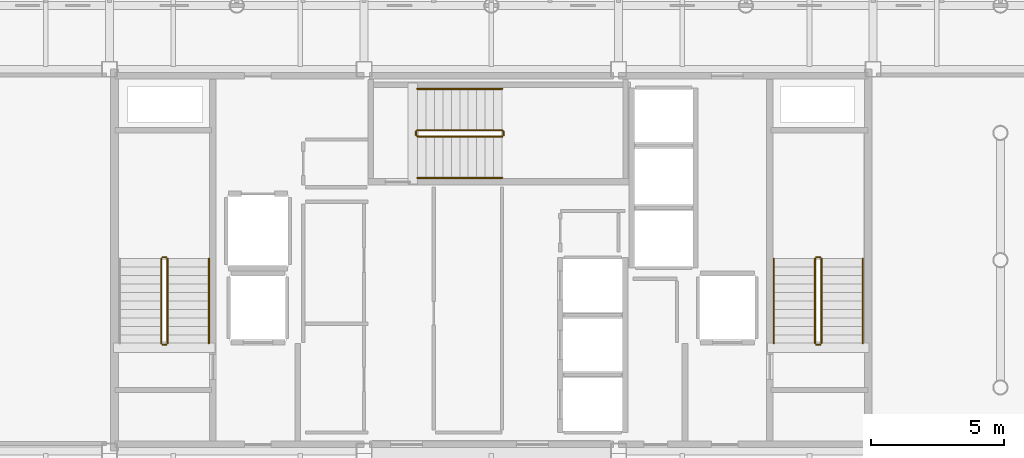
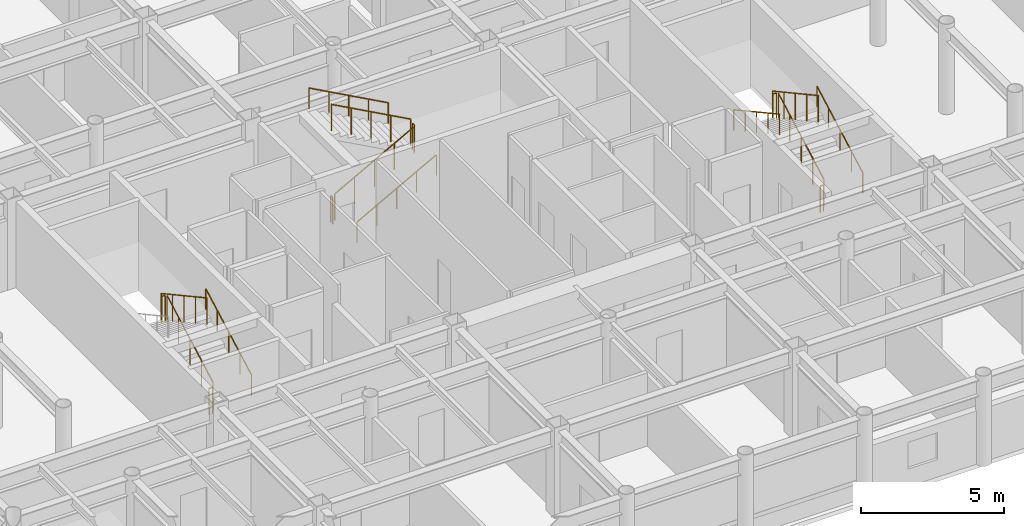
# One storey, part 24 of 24: 17 railings.
"""IFC4 building model written with IfcOpenShell, lengths in metres."""

import ifcopenshell
import ifcopenshell.guid

model = None  # the IFC model being written
_history = None  # IfcOwnerHistory: only IFC2X3 demands one
_inside = {}  # id of a spatial element -> (the spatial element, [elements in it])
_under = {}  # id of a project, library or spatial element -> (it, [spatial elements below it])
_declared = {}  # id of a project -> (the project, [libraries it declares])
_typed = {}  # id of a type object -> (the type object, [elements of that type])
_made_of = {}  # id of a material, layer set ... -> (it, [elements and type objects made of it])


def new_model(schema):
    """Start an empty IFC model of exactly this schema.

    Asked for "IFC4X3", IfcOpenShell would pick the latest addendum, in which some entities
    have other attributes; the version numbers below select the first issue.
    IFC2X3 requires an IfcOwnerHistory on every rooted entity: one is made here for all.
    """
    global model, _history
    if schema == "IFC4X3":
        model = ifcopenshell.file(schema_version=(4, 3, 0, 0))
    else:
        model = ifcopenshell.file(schema=schema)
    _inside.clear()
    _under.clear()
    _declared.clear()
    _typed.clear()
    _made_of.clear()
    _history = None
    if model.schema == "IFC2X3":
        org = make("IfcOrganization", Name="unknown")
        user = make(
            "IfcPersonAndOrganization",
            ThePerson=make("IfcPerson", FamilyName="unknown"),
            TheOrganization=org,
        )
        app = make(
            "IfcApplication",
            ApplicationDeveloper=org,
            Version="unknown",
            ApplicationFullName="unknown",
            ApplicationIdentifier="unknown",
        )
        _history = make(
            "IfcOwnerHistory",
            OwningUser=user,
            OwningApplication=app,
            ChangeAction="ADDED",
            CreationDate=0,
        )
    return model


def make(cls, **values):
    """One entity of the class cls with the attributes given. An attribute that is None is left unset."""
    return model.create_entity(
        cls, **{name: value for name, value in values.items() if value is not None}
    )


def rooted(cls, **values):
    """An entity with a GlobalId (a new one), such as an element, a storey or a relation."""
    return make(cls, GlobalId=ifcopenshell.guid.new(), OwnerHistory=_history, **values)


def si_unit(unit_type, name, prefix=None):
    """IfcSIUnit, for example si_unit("LENGTHUNIT", "METRE", prefix="MILLI")."""
    return make("IfcSIUnit", UnitType=unit_type, Prefix=prefix, Name=name)


def assignment(units):
    """IfcUnitAssignment: the units of a project."""
    return None if units is None else make("IfcUnitAssignment", Units=units)


def point(xyz):
    """IfcCartesianPoint."""
    return None if xyz is None else make("IfcCartesianPoint", Coordinates=xyz)


def direction(xyz):
    """IfcDirection."""
    return None if xyz is None else make("IfcDirection", DirectionRatios=xyz)


def frame(location, z_axis=None, x_axis=None):
    """IfcAxis2Placement3D, a coordinate frame: its origin and axes. An axis left out is left unset."""
    return make(
        "IfcAxis2Placement3D",
        Location=point(location),
        Axis=direction(z_axis),
        RefDirection=direction(x_axis),
    )


def frame_2d(location, x_axis=None):
    """IfcAxis2Placement2D, a coordinate frame in the plane: its origin and x axis."""
    return make(
        "IfcAxis2Placement2D", Location=point(location), RefDirection=direction(x_axis)
    )


def origin():
    """The frame at (0, 0, 0) with its axes left unset."""
    return frame((0.0, 0.0, 0.0))


def origin_2d():
    """The frame at (0, 0) in the plane with its x axis left unset."""
    return frame_2d((0.0, 0.0))


def place(relative_to, where):
    """IfcLocalPlacement: puts the frame where relative to a parent placement (None: the world)."""
    return make(
        "IfcLocalPlacement", PlacementRelTo=relative_to, RelativePlacement=where
    )


def context(
    kind, dimensions, precision=None, world=None, true_north=None, identifier=None
):
    """IfcGeometricRepresentationContext, for example the 3D "Model" context."""
    return make(
        "IfcGeometricRepresentationContext",
        ContextIdentifier=identifier,
        ContextType=kind,
        CoordinateSpaceDimension=dimensions,
        Precision=precision,
        WorldCoordinateSystem=world,
        TrueNorth=true_north,
    )


def subcontext(parent, identifier, kind, view, scale=None):
    """IfcGeometricRepresentationSubContext, for example "Body" below "Model"."""
    return make(
        "IfcGeometricRepresentationSubContext",
        ContextIdentifier=identifier,
        ContextType=kind,
        ParentContext=parent,
        TargetScale=scale,
        TargetView=view,
    )


def project(units=None, contexts=None):
    """IfcProject with its units and contexts."""
    return rooted(
        "IfcProject",
        Name="project",
        RepresentationContexts=contexts,
        UnitsInContext=assignment(units),
    )


def spatial(cls, under=None, at=None, **own):
    """A site, building, storey or space (cls), placed at a placement, below another one or the project."""
    s = rooted(cls, ObjectPlacement=at, **own)
    if under is not None:
        _under.setdefault(under.id(), (under, []))[1].append(s)
    return s


def profile(cls, at=None, kind="AREA", **sizes):
    """A parametric profile (cls). Its sizes go by their IFC names, for example OverallWidth=200.0."""
    return make(cls, ProfileType=kind, Position=at, **sizes)


def circle(**sizes):
    """IfcCircleProfileDef."""
    return profile("IfcCircleProfileDef", **sizes)


def extrude(swept, where, along, depth):
    """IfcExtrudedAreaSolid: the profile swept, set in the frame where, extruded along a direction by depth."""
    return make(
        "IfcExtrudedAreaSolid",
        SweptArea=swept,
        Position=where,
        ExtrudedDirection=direction(along),
        Depth=depth,
    )


def shape(context_of_items, identifier, shape_type, items):
    """IfcShapeRepresentation: the items that make up one representation, for example the "Body"."""
    return make(
        "IfcShapeRepresentation",
        ContextOfItems=context_of_items,
        RepresentationIdentifier=identifier,
        RepresentationType=shape_type,
        Items=items,
    )


def material(Name=None, Category=None):
    """IfcMaterial."""
    return make("IfcMaterial", Name=Name, Category=Category)


def layer(
    of_material, thickness, ventilated=None, Name=None, Category=None, Priority=None
):
    """IfcMaterialLayer: one layer of a wall or slab, of a material (None: an air gap)."""
    return make(
        "IfcMaterialLayer",
        Material=of_material,
        LayerThickness=thickness,
        IsVentilated=ventilated,
        Name=Name,
        Category=Category,
        Priority=Priority,
    )


def layer_set(layers, Name=None):
    """IfcMaterialLayerSet."""
    return make("IfcMaterialLayerSet", MaterialLayers=layers, LayerSetName=Name)


def made_of(thing, what):
    """Note that an element or type object is made of a material, layer set ...; save() writes the relation."""
    if what is not None:
        _made_of.setdefault(what.id(), (what, []))[1].append(thing)
    return thing


def type_object(cls, material=None, **own):
    """A type object (cls), such as IfcWallType, which elements share."""
    return made_of(rooted(cls, **own), material)


def element(
    cls,
    number,
    at=None,
    inside=None,
    cuts=None,
    type_object=None,
    material=None,
    context=None,
    identifier="Body",
    shape_type=None,
    held_by="IfcProductDefinitionShape",
    body=None,
    shapes=None,
    **own,
):
    """One element of the class cls, such as IfcWall. Its Tag is "e" and its number.

    at: its placement. inside: the storey or other place that contains it. cuts: it is an
    opening in that element (IfcRelVoidsElement). A single representation is given by context,
    identifier, shape_type and body (its items); several are given by shapes. held_by: the class
    of the entity that holds the representations. save() writes the other relations.
    """
    e = rooted(cls, Tag="e%d" % number, ObjectPlacement=at, **own)
    if body is not None:
        shapes = [shape(context, identifier, shape_type, body)]
    if shapes is not None:
        e.Representation = make(held_by, Representations=shapes)
    if inside is not None:
        _inside.setdefault(inside.id(), (inside, []))[1].append(e)
    if cuts is not None:
        rooted(
            "IfcRelVoidsElement", RelatingBuildingElement=cuts, RelatedOpeningElement=e
        )
    if type_object is not None:
        _typed.setdefault(type_object.id(), (type_object, []))[1].append(e)
    return made_of(e, material)


def aggregate(whole, parts):
    """IfcRelAggregates: a whole, such as a stair, and the parts it consists of."""
    return rooted("IfcRelAggregates", RelatingObject=whole, RelatedObjects=parts)


def save(model, path):
    """Write the relations noted so far, then the file.

    IfcRelAggregates (storeys below a building ...), IfcRelContainedInSpatialStructure (elements
    in a storey), IfcRelDefinesByType, IfcRelAssociatesMaterial and IfcRelDeclares: one each for
    every whole, place, type object, material and project.
    """
    for whole, parts in _under.values():
        aggregate(whole, parts)
    for where, things in _inside.values():
        rooted(
            "IfcRelContainedInSpatialStructure",
            RelatedElements=things,
            RelatingStructure=where,
        )
    for kind, things in _typed.values():
        rooted("IfcRelDefinesByType", RelatedObjects=things, RelatingType=kind)
    for what, things in _made_of.values():
        rooted("IfcRelAssociatesMaterial", RelatedObjects=things, RelatingMaterial=what)
    for by, libraries in _declared.values():
        rooted("IfcRelDeclares", RelatingContext=by, RelatedDefinitions=libraries)
    model.write(path)


model = new_model("IFC4")

# Units and contexts
model_context = context("Model", 3, precision=1e-05, world=origin(), true_north=direction((0.0, 1.0)))
body_context = subcontext(model_context, "Body", "Model", "MODEL_VIEW")
ifc_project = project(units=[si_unit("LENGTHUNIT", "METRE"), si_unit("AREAUNIT", "SQUARE_METRE"), si_unit("VOLUMEUNIT", "CUBIC_METRE"), si_unit("PLANEANGLEUNIT", "RADIAN"), si_unit("MASSUNIT", "GRAM", prefix="KILO")], contexts=[model_context])

# Site, building, storey
site_placement = place(None, origin())
site = spatial("IfcSite", under=ifc_project, at=site_placement, CompositionType="ELEMENT")
building_placement = place(site_placement, origin())
building = spatial("IfcBuilding", under=site, at=building_placement, Name="Kallvorn Hotel Tower", CompositionType="ELEMENT")
storey_placement = place(building_placement, frame((0.0, 0.0, 233.85009765625)))
storey = spatial("IfcBuildingStorey", under=building, at=storey_placement, Name="L58", CompositionType="ELEMENT", Elevation=233.85009765625)

# Railings
ifc_material_1 = material(Name="Brushed stainless-steel tubular railing", Category="steel")
ifc_layer_1 = layer(ifc_material_1, 0.050048828125)
ifc_layer_set_1 = layer_set([ifc_layer_1], Name="RL_STAIR_GUARD")
railing_type_1 = type_object("IfcRailingType", Name="RL_STAIR_GUARD", PredefinedType="GUARDRAIL", material=ifc_layer_set_1)
railing_1_placement = place(storey_placement, frame((-12.2099609375, -3.139892578125, 0.1748046875)))
element("IfcRailing", 1, at=railing_1_placement, inside=storey, type_object=railing_type_1, Name="L58 ST1 stair guard 1", PredefinedType="GUARDRAIL", context=body_context, shape_type="SweptSolid", body=[
    extrude(circle(Radius=0.02392578125, at=origin_2d()), frame((0.0, 0.0, 1.1259765625), z_axis=(0.0, 0.877368057402, 0.479817977833), x_axis=(-1.0, 0.0, 0.0)), (0.0, 0.0, 1.0), 3.647216796875),
    extrude(circle(Radius=0.02099609375, at=origin_2d()), origin(), (0.0, 0.0, 1.0), 1.101806640625),
    extrude(circle(Radius=0.02099609375, at=origin_2d()), frame((0.0, 0.800048828125, 0.4375)), (0.0, 0.0, 1.0), 1.101806640625),
    extrude(circle(Radius=0.02099609375, at=origin_2d()), frame((0.0, 1.60009765625, 0.875)), (0.0, 0.0, 1.0), 1.101806640625),
    extrude(circle(Radius=0.02099609375, at=origin_2d()), frame((0.0, 2.39990234375, 1.3125)), (0.0, 0.0, 1.0), 1.101806640625),
    extrude(circle(Radius=0.02099609375, at=origin_2d()), frame((0.0, 3.199951171875, 1.75)), (0.0, 0.0, 1.0), 1.101806640625),
])
railing_2_placement = place(storey_placement, frame((-12.260009765625, 0.110107421875, 1.9248046875)))
element("IfcRailing", 2, at=railing_2_placement, inside=storey, type_object=railing_type_1, Name="L58 ST1 stair guard 2", PredefinedType="GUARDRAIL", context=body_context, shape_type="SweptSolid", body=[
    extrude(circle(Radius=0.02392578125, at=origin_2d()), frame((0.0, 0.0, 1.1259765625), z_axis=(-1.0, 0.0, 0.0), x_axis=(0.0, -1.0, 0.0)), (0.0, 0.0, 1.0), 0.139892578125),
    extrude(circle(Radius=0.02099609375, at=origin_2d()), origin(), (0.0, 0.0, 1.0), 1.101806640625),
    extrude(circle(Radius=0.02099609375, at=origin_2d()), frame((-0.139892578125, 0.0, 0.0)), (0.0, 0.0, 1.0), 1.101806640625),
])
railing_3_placement = place(storey_placement, frame((-12.449951171875, 0.06005859375, 2.099853515625)))
element("IfcRailing", 3, at=railing_3_placement, inside=storey, type_object=railing_type_1, Name="L58 ST1 stair guard 3", PredefinedType="GUARDRAIL", context=body_context, shape_type="SweptSolid", body=[
    extrude(circle(Radius=0.02392578125, at=origin_2d()), frame((0.0, 0.0, 1.1259765625), z_axis=(0.0, -0.877368057402, 0.479817977833), x_axis=(1.0, 0.0, 0.0)), (0.0, 0.0, 1.0), 3.647216796875),
    extrude(circle(Radius=0.02099609375, at=origin_2d()), origin(), (0.0, 0.0, 1.0), 1.101806640625),
    extrude(circle(Radius=0.02099609375, at=origin_2d()), frame((0.0, -0.800048828125, 0.4375)), (0.0, 0.0, 1.0), 1.101806640625),
    extrude(circle(Radius=0.02099609375, at=origin_2d()), frame((0.0, -1.60009765625, 0.875)), (0.0, 0.0, 1.0), 1.101806640625),
    extrude(circle(Radius=0.02099609375, at=origin_2d()), frame((0.0, -2.39990234375, 1.3125)), (0.0, 0.0, 1.0), 1.101806640625),
    extrude(circle(Radius=0.02099609375, at=origin_2d()), frame((0.0, -3.199951171875, 1.75)), (0.0, 0.0, 1.0), 1.101806640625),
])
railing_4_placement = place(storey_placement, frame((-12.260009765625, -3.18994140625, 0.0)))
element("IfcRailing", 4, at=railing_4_placement, inside=storey, type_object=railing_type_1, Name="L58 ST1 stair guard 4", PredefinedType="GUARDRAIL", context=body_context, shape_type="SweptSolid", body=[
    extrude(circle(Radius=0.02392578125, at=origin_2d()), frame((0.0, 0.0, 1.1259765625), z_axis=(-1.0, 0.0, 0.0), x_axis=(0.0, -1.0, 0.0)), (0.0, 0.0, 1.0), 0.139892578125),
    extrude(circle(Radius=0.02099609375, at=origin_2d()), origin(), (0.0, 0.0, 1.0), 1.101806640625),
    extrude(circle(Radius=0.02099609375, at=origin_2d()), frame((-0.139892578125, 0.0, 0.0)), (0.0, 0.0, 1.0), 1.101806640625),
])
railing_5_placement = place(storey_placement, frame((12.449951171875, -3.139892578125, 0.1748046875)))
element("IfcRailing", 5, at=railing_5_placement, inside=storey, type_object=railing_type_1, Name="L58 ST2 stair guard 1", PredefinedType="GUARDRAIL", context=body_context, shape_type="SweptSolid", body=[
    extrude(circle(Radius=0.02392578125, at=origin_2d()), frame((0.0, 0.0, 1.1259765625), z_axis=(0.0, 0.877368057402, 0.479817977833), x_axis=(-1.0, 0.0, 0.0)), (0.0, 0.0, 1.0), 3.647216796875),
    extrude(circle(Radius=0.02099609375, at=origin_2d()), origin(), (0.0, 0.0, 1.0), 1.101806640625),
    extrude(circle(Radius=0.02099609375, at=origin_2d()), frame((0.0, 0.800048828125, 0.4375)), (0.0, 0.0, 1.0), 1.101806640625),
    extrude(circle(Radius=0.02099609375, at=origin_2d()), frame((0.0, 1.60009765625, 0.875)), (0.0, 0.0, 1.0), 1.101806640625),
    extrude(circle(Radius=0.02099609375, at=origin_2d()), frame((0.0, 2.39990234375, 1.3125)), (0.0, 0.0, 1.0), 1.101806640625),
    extrude(circle(Radius=0.02099609375, at=origin_2d()), frame((0.0, 3.199951171875, 1.75)), (0.0, 0.0, 1.0), 1.101806640625),
])
railing_6_placement = place(storey_placement, frame((12.39990234375, 0.110107421875, 1.9248046875)))
element("IfcRailing", 6, at=railing_6_placement, inside=storey, type_object=railing_type_1, Name="L58 ST2 stair guard 2", PredefinedType="GUARDRAIL", context=body_context, shape_type="SweptSolid", body=[
    extrude(circle(Radius=0.02392578125, at=origin_2d()), frame((0.0, 0.0, 1.1259765625), z_axis=(-1.0, 0.0, 0.0), x_axis=(0.0, -1.0, 0.0)), (0.0, 0.0, 1.0), 0.139892578125),
    extrude(circle(Radius=0.02099609375, at=origin_2d()), origin(), (0.0, 0.0, 1.0), 1.101806640625),
    extrude(circle(Radius=0.02099609375, at=origin_2d()), frame((-0.139892578125, 0.0, 0.0)), (0.0, 0.0, 1.0), 1.101806640625),
])
railing_7_placement = place(storey_placement, frame((12.2099609375, 0.06005859375, 2.099853515625)))
element("IfcRailing", 7, at=railing_7_placement, inside=storey, type_object=railing_type_1, Name="L58 ST2 stair guard 3", PredefinedType="GUARDRAIL", context=body_context, shape_type="SweptSolid", body=[
    extrude(circle(Radius=0.02392578125, at=origin_2d()), frame((0.0, 0.0, 1.1259765625), z_axis=(0.0, -0.877368057402, 0.479817977833), x_axis=(1.0, 0.0, 0.0)), (0.0, 0.0, 1.0), 3.647216796875),
    extrude(circle(Radius=0.02099609375, at=origin_2d()), origin(), (0.0, 0.0, 1.0), 1.101806640625),
    extrude(circle(Radius=0.02099609375, at=origin_2d()), frame((0.0, -0.800048828125, 0.4375)), (0.0, 0.0, 1.0), 1.101806640625),
    extrude(circle(Radius=0.02099609375, at=origin_2d()), frame((0.0, -1.60009765625, 0.875)), (0.0, 0.0, 1.0), 1.101806640625),
    extrude(circle(Radius=0.02099609375, at=origin_2d()), frame((0.0, -2.39990234375, 1.3125)), (0.0, 0.0, 1.0), 1.101806640625),
    extrude(circle(Radius=0.02099609375, at=origin_2d()), frame((0.0, -3.199951171875, 1.75)), (0.0, 0.0, 1.0), 1.101806640625),
])
railing_8_placement = place(storey_placement, frame((12.39990234375, -3.18994140625, 0.0)))
element("IfcRailing", 8, at=railing_8_placement, inside=storey, type_object=railing_type_1, Name="L58 ST2 stair guard 4", PredefinedType="GUARDRAIL", context=body_context, shape_type="SweptSolid", body=[
    extrude(circle(Radius=0.02392578125, at=origin_2d()), frame((0.0, 0.0, 1.1259765625), z_axis=(-1.0, 0.0, 0.0), x_axis=(0.0, -1.0, 0.0)), (0.0, 0.0, 1.0), 0.139892578125),
    extrude(circle(Radius=0.02099609375, at=origin_2d()), origin(), (0.0, 0.0, 1.0), 1.101806640625),
    extrude(circle(Radius=0.02099609375, at=origin_2d()), frame((-0.139892578125, 0.0, 0.0)), (0.0, 0.0, 1.0), 1.101806640625),
])
railing_9_placement = place(storey_placement, frame((-2.7900390625, 4.659912109375, 0.1748046875)))
element("IfcRailing", 9, at=railing_9_placement, inside=storey, type_object=railing_type_1, Name="L58 ST3 stair guard 1", PredefinedType="GUARDRAIL", context=body_context, shape_type="SweptSolid", body=[
    extrude(circle(Radius=0.02392578125, at=origin_2d()), frame((0.0, 0.0, 1.1259765625), z_axis=(0.877368057402, 0.0, 0.479817977833), x_axis=(0.0, 1.0, 0.0)), (0.0, 0.0, 1.0), 3.647216796875),
    extrude(circle(Radius=0.02099609375, at=origin_2d()), origin(), (0.0, 0.0, 1.0), 1.101806640625),
    extrude(circle(Radius=0.02099609375, at=origin_2d()), frame((0.800048828125, 0.0, 0.4375)), (0.0, 0.0, 1.0), 1.101806640625),
    extrude(circle(Radius=0.02099609375, at=origin_2d()), frame((1.60009765625, 0.0, 0.875)), (0.0, 0.0, 1.0), 1.101806640625),
    extrude(circle(Radius=0.02099609375, at=origin_2d()), frame((2.39990234375, 0.0, 1.3125)), (0.0, 0.0, 1.0), 1.101806640625),
    extrude(circle(Radius=0.02099609375, at=origin_2d()), frame((3.199951171875, 0.0, 1.75)), (0.0, 0.0, 1.0), 1.101806640625),
])
railing_10_placement = place(storey_placement, frame((0.4599609375, 4.7099609375, 1.9248046875)))
element("IfcRailing", 10, at=railing_10_placement, inside=storey, type_object=railing_type_1, Name="L58 ST3 stair guard 2", PredefinedType="GUARDRAIL", context=body_context, shape_type="SweptSolid", body=[
    extrude(circle(Radius=0.02392578125, at=origin_2d()), frame((0.0, 0.0, 1.1259765625), z_axis=(0.0, 1.0, 0.0), x_axis=(-1.0, 0.0, 0.0)), (0.0, 0.0, 1.0), 0.14013671875),
    extrude(circle(Radius=0.02099609375, at=origin_2d()), origin(), (0.0, 0.0, 1.0), 1.101806640625),
    extrude(circle(Radius=0.02099609375, at=origin_2d()), frame((0.0, 0.14013671875, 0.0)), (0.0, 0.0, 1.0), 1.101806640625),
])
railing_11_placement = place(storey_placement, frame((0.409912109375, 4.89990234375, 2.099853515625)))
element("IfcRailing", 11, at=railing_11_placement, inside=storey, type_object=railing_type_1, Name="L58 ST3 stair guard 3", PredefinedType="GUARDRAIL", context=body_context, shape_type="SweptSolid", body=[
    extrude(circle(Radius=0.02392578125, at=origin_2d()), frame((0.0, 0.0, 1.1259765625), z_axis=(-0.877368057402, 0.0, 0.479817977833), x_axis=(0.0, -1.0, 0.0)), (0.0, 0.0, 1.0), 3.647216796875),
    extrude(circle(Radius=0.02099609375, at=origin_2d()), origin(), (0.0, 0.0, 1.0), 1.101806640625),
    extrude(circle(Radius=0.02099609375, at=origin_2d()), frame((-0.800048828125, 0.0, 0.4375)), (0.0, 0.0, 1.0), 1.101806640625),
    extrude(circle(Radius=0.02099609375, at=origin_2d()), frame((-1.60009765625, 0.0, 0.875)), (0.0, 0.0, 1.0), 1.101806640625),
    extrude(circle(Radius=0.02099609375, at=origin_2d()), frame((-2.39990234375, 0.0, 1.3125)), (0.0, 0.0, 1.0), 1.101806640625),
    extrude(circle(Radius=0.02099609375, at=origin_2d()), frame((-3.199951171875, 0.0, 1.75)), (0.0, 0.0, 1.0), 1.101806640625),
])
railing_12_placement = place(storey_placement, frame((-2.840087890625, 4.7099609375, 0.0)))
element("IfcRailing", 12, at=railing_12_placement, inside=storey, type_object=railing_type_1, Name="L58 ST3 stair guard 4", PredefinedType="GUARDRAIL", context=body_context, shape_type="SweptSolid", body=[
    extrude(circle(Radius=0.02392578125, at=origin_2d()), frame((0.0, 0.0, 1.1259765625), z_axis=(0.0, 1.0, 0.0), x_axis=(-1.0, 0.0, 0.0)), (0.0, 0.0, 1.0), 0.14013671875),
    extrude(circle(Radius=0.02099609375, at=origin_2d()), origin(), (0.0, 0.0, 1.0), 1.101806640625),
    extrude(circle(Radius=0.02099609375, at=origin_2d()), frame((0.0, 0.14013671875, 0.0)), (0.0, 0.0, 1.0), 1.101806640625),
])
ifc_material_2 = material(Name="Brushed stainless-steel tubular railing", Category="steel")
ifc_layer_2 = layer(ifc_material_2, 0.050048828125)
ifc_layer_set_2 = layer_set([ifc_layer_2], Name="RL_STAIR_HAND")
railing_type_2 = type_object("IfcRailingType", Name="RL_STAIR_HAND", PredefinedType="HANDRAIL", material=ifc_layer_set_2)
for number, where, name in (
    (13, (-10.64990234375, -3.139892578125, 0.1748046875), "L58 ST1 stair handrail 1"),
    (14, (14.010009765625, -3.139892578125, 0.1748046875), "L58 ST2 stair handrail 1"),
):
    element("IfcRailing", number, at=place(storey_placement, frame(where)), inside=storey, type_object=railing_type_2, Name=name, PredefinedType="HANDRAIL", context=body_context, shape_type="SweptSolid", body=[
        extrude(circle(Radius=0.02392578125, at=origin_2d()), frame((0.0, 0.0, 0.8759765625), z_axis=(0.0, 0.877368057402, 0.479817977833), x_axis=(-1.0, 0.0, 0.0)), (0.0, 0.0, 1.0), 3.647216796875),
        extrude(circle(Radius=0.02099609375, at=origin_2d()), origin(), (0.0, 0.0, 1.0), 0.851806640625),
        extrude(circle(Radius=0.02099609375, at=origin_2d()), frame((0.0, 0.800048828125, 0.4375)), (0.0, 0.0, 1.0), 0.851806640625),
        extrude(circle(Radius=0.02099609375, at=origin_2d()), frame((0.0, 1.60009765625, 0.875)), (0.0, 0.0, 1.0), 0.851806640625),
        extrude(circle(Radius=0.02099609375, at=origin_2d()), frame((0.0, 2.39990234375, 1.3125)), (0.0, 0.0, 1.0), 0.851806640625),
        extrude(circle(Radius=0.02099609375, at=origin_2d()), frame((0.0, 3.199951171875, 1.75)), (0.0, 0.0, 1.0), 0.851806640625),
    ])
railing_13_placement = place(storey_placement, frame((10.64990234375, 0.06005859375, 2.099853515625)))
element("IfcRailing", 15, at=railing_13_placement, inside=storey, type_object=railing_type_2, Name="L58 ST2 stair handrail 2", PredefinedType="HANDRAIL", context=body_context, shape_type="SweptSolid", body=[
    extrude(circle(Radius=0.02392578125, at=origin_2d()), frame((0.0, 0.0, 0.8759765625), z_axis=(0.0, -0.877368057402, 0.479817977833), x_axis=(1.0, 0.0, 0.0)), (0.0, 0.0, 1.0), 3.647216796875),
    extrude(circle(Radius=0.02099609375, at=origin_2d()), origin(), (0.0, 0.0, 1.0), 0.851806640625),
    extrude(circle(Radius=0.02099609375, at=origin_2d()), frame((0.0, -0.800048828125, 0.4375)), (0.0, 0.0, 1.0), 0.851806640625),
    extrude(circle(Radius=0.02099609375, at=origin_2d()), frame((0.0, -1.60009765625, 0.875)), (0.0, 0.0, 1.0), 0.851806640625),
    extrude(circle(Radius=0.02099609375, at=origin_2d()), frame((0.0, -2.39990234375, 1.3125)), (0.0, 0.0, 1.0), 0.851806640625),
    extrude(circle(Radius=0.02099609375, at=origin_2d()), frame((0.0, -3.199951171875, 1.75)), (0.0, 0.0, 1.0), 0.851806640625),
])
railing_14_placement = place(storey_placement, frame((-2.7900390625, 3.10009765625, 0.1748046875)))
element("IfcRailing", 16, at=railing_14_placement, inside=storey, type_object=railing_type_2, Name="L58 ST3 stair handrail 1", PredefinedType="HANDRAIL", context=body_context, shape_type="SweptSolid", body=[
    extrude(circle(Radius=0.02392578125, at=origin_2d()), frame((0.0, 0.0, 0.8759765625), z_axis=(0.877368057402, 0.0, 0.479817977833), x_axis=(0.0, 1.0, 0.0)), (0.0, 0.0, 1.0), 3.647216796875),
    extrude(circle(Radius=0.02099609375, at=origin_2d()), origin(), (0.0, 0.0, 1.0), 0.851806640625),
    extrude(circle(Radius=0.02099609375, at=origin_2d()), frame((0.800048828125, 0.0, 0.4375)), (0.0, 0.0, 1.0), 0.851806640625),
    extrude(circle(Radius=0.02099609375, at=origin_2d()), frame((1.60009765625, 0.0, 0.875)), (0.0, 0.0, 1.0), 0.851806640625),
    extrude(circle(Radius=0.02099609375, at=origin_2d()), frame((2.39990234375, 0.0, 1.3125)), (0.0, 0.0, 1.0), 0.851806640625),
    extrude(circle(Radius=0.02099609375, at=origin_2d()), frame((3.199951171875, 0.0, 1.75)), (0.0, 0.0, 1.0), 0.851806640625),
])
railing_15_placement = place(storey_placement, frame((0.409912109375, 6.4599609375, 2.099853515625)))
element("IfcRailing", 17, at=railing_15_placement, inside=storey, type_object=railing_type_2, Name="L58 ST3 stair handrail 2", PredefinedType="HANDRAIL", context=body_context, shape_type="SweptSolid", body=[
    extrude(circle(Radius=0.02392578125, at=origin_2d()), frame((0.0, 0.0, 0.8759765625), z_axis=(-0.877368057402, 0.0, 0.479817977833), x_axis=(0.0, -1.0, 0.0)), (0.0, 0.0, 1.0), 3.647216796875),
    extrude(circle(Radius=0.02099609375, at=origin_2d()), origin(), (0.0, 0.0, 1.0), 0.851806640625),
    extrude(circle(Radius=0.02099609375, at=origin_2d()), frame((-0.800048828125, 0.0, 0.4375)), (0.0, 0.0, 1.0), 0.851806640625),
    extrude(circle(Radius=0.02099609375, at=origin_2d()), frame((-1.60009765625, 0.0, 0.875)), (0.0, 0.0, 1.0), 0.851806640625),
    extrude(circle(Radius=0.02099609375, at=origin_2d()), frame((-2.39990234375, 0.0, 1.3125)), (0.0, 0.0, 1.0), 0.851806640625),
    extrude(circle(Radius=0.02099609375, at=origin_2d()), frame((-3.199951171875, 0.0, 1.75)), (0.0, 0.0, 1.0), 0.851806640625),
])

save(model, "model.ifc")
